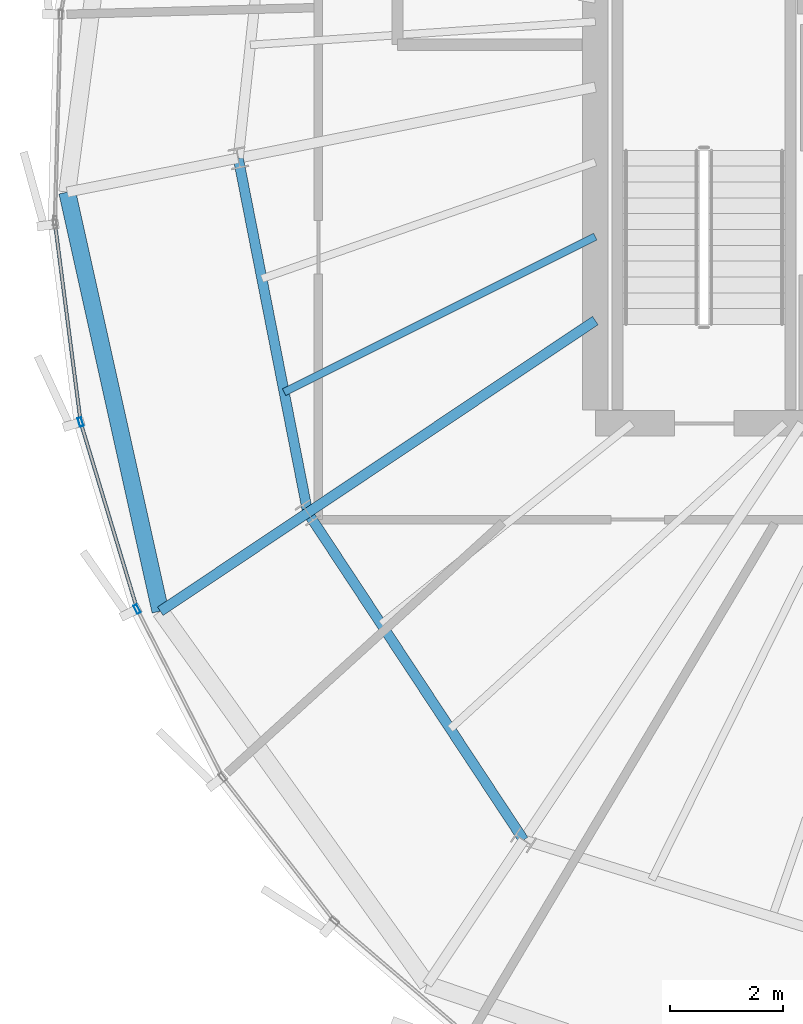
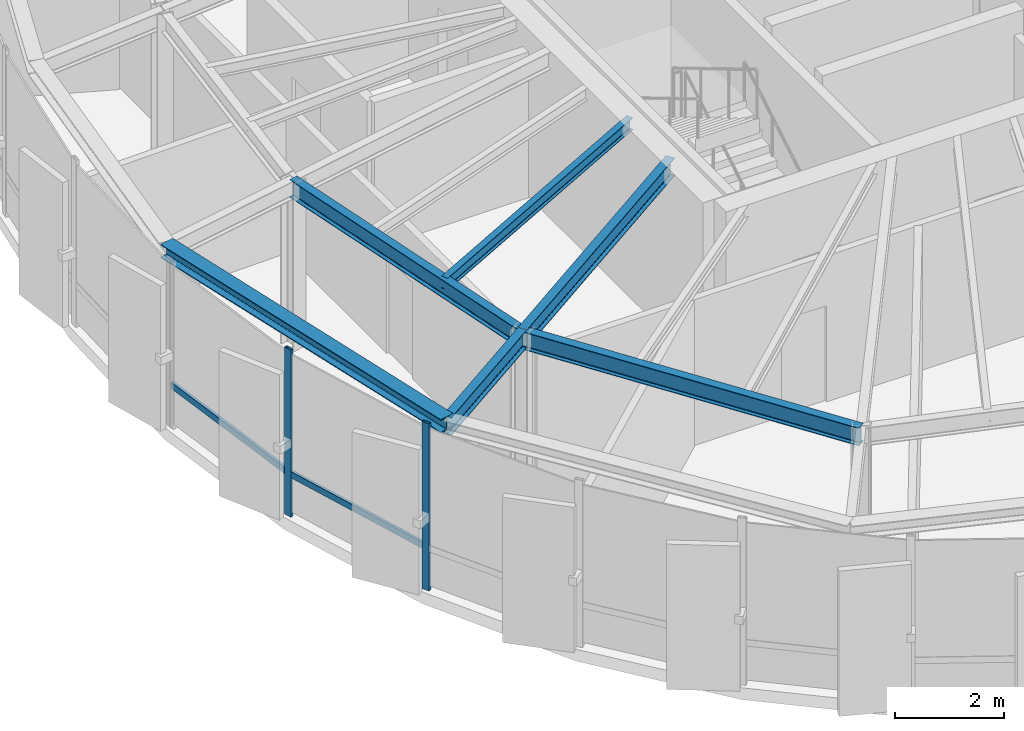
# One storey, part 4 of 25: 6 beams, 4 members, 1 element without a shape of its own.
"""IFC4 building model written with IfcOpenShell, lengths in metres."""

from ifc_helpers import new_model, si_unit, direction, frame, origin, origin_2d, place, context, subcontext, project, spatial, hollow_rectangle, i_section, extrude, source, transform, mapped, material, layer, layer_set, material_profile, profile_set, type_object, element, aggregate, save


model = new_model("IFC4")

# Units and contexts
model_context = context("Model", 3, precision=1e-05, world=origin(), true_north=direction((0.0, 1.0)))
body_context = subcontext(model_context, "Body", "Model", "MODEL_VIEW")
ifc_project = project(units=[si_unit("LENGTHUNIT", "METRE"), si_unit("AREAUNIT", "SQUARE_METRE"), si_unit("VOLUMEUNIT", "CUBIC_METRE"), si_unit("PLANEANGLEUNIT", "RADIAN"), si_unit("MASSUNIT", "GRAM", prefix="KILO"), si_unit("THERMODYNAMICTEMPERATUREUNIT", "KELVIN")], contexts=[model_context])

# Site, building, storey
site_placement = place(None, origin())
site = spatial("IfcSite", under=ifc_project, at=site_placement, CompositionType="ELEMENT")
building_placement = place(site_placement, origin())
building = spatial("IfcBuilding", under=site, at=building_placement, Name="Kethvar Cultural Tower", CompositionType="ELEMENT")
storey_placement = place(building_placement, frame((0.0, 0.0, 304.300048828125)))
storey = spatial("IfcBuildingStorey", under=building, at=storey_placement, Name="L81", CompositionType="ELEMENT", Elevation=304.300048828125)

# Beams
ifc_material_1 = material(Name="Steel S355J2", Category="steel")
ifc_material_profile_1 = material_profile(ifc_material_1, i_section(OverallWidth=0.135009765625, OverallDepth=0.27001953125, WebThickness=0.006591796875, FlangeThickness=0.01025390625, FilletRadius=0.014892578125, at=origin_2d()), Name="Steel S355J2 — IPE270")
ifc_profile_set_1 = profile_set([ifc_material_profile_1], Name="Steel S355J2 — IPE270")
beam_type_1 = type_object("IfcBeamType", Name="BM-J270", PredefinedType="JOIST", material=ifc_profile_set_1)
shared_shape_1 = source(origin(), body_context, "Body", "SweptSolid", [
    extrude(i_section(OverallWidth=0.135009765625, OverallDepth=0.27001953125, WebThickness=0.006591796875, FlangeThickness=0.01025390625, FilletRadius=0.014892578125, at=origin_2d()), origin(), (0.0, 0.0, 1.0), 6.154052734375),
])
beam_1_placement = place(storey_placement, frame((38.0, 23.40380859375, 3.597900390625), z_axis=(-0.89458581954, -0.446896197655, 0.0), x_axis=(0.446896197655, -0.89458581954, 0.0)))
element("IfcBeam", 1, at=beam_1_placement, inside=storey, type_object=beam_type_1, Name="L81 Composite Floor Joist J-09B", PredefinedType="JOIST", context=body_context, shape_type="MappedRepresentation", body=[
    mapped(shared_shape_1, transform((0.0, 0.0, 0.0), scale=1.0)),
])
ifc_material_profile_2 = material_profile(ifc_material_1, i_section(OverallWidth=0.179931640625, OverallDepth=0.39990234375, WebThickness=0.008544921875, FlangeThickness=0.013427734375, FilletRadius=0.02099609375, at=origin_2d()), Name="Steel S355J2 — IPE400")
ifc_profile_set_2 = profile_set([ifc_material_profile_2], Name="Steel S355J2 — IPE400")
beam_type_2 = type_object("IfcBeamType", Name="BM-IPE400", PredefinedType="BEAM", material=ifc_profile_set_2)
shared_shape_2 = source(origin(), body_context, "Body", "SweptSolid", [
    extrude(i_section(OverallWidth=0.179931640625, OverallDepth=0.39990234375, WebThickness=0.008544921875, FlangeThickness=0.013427734375, FilletRadius=0.02099609375, at=origin_2d()), origin(), (0.0, 0.0, 1.0), 6.118408203125),
])
beam_2_placement = place(storey_placement, frame((38.0, 21.920166015625, 3.532958984375), z_axis=(-0.831466631282, -0.555574694406, 0.0), x_axis=(0.555574694406, -0.831466631282, 0.0)))
element("IfcBeam", 2, at=beam_2_placement, inside=storey, type_object=beam_type_2, Name="L81 Primary Radial Beam RB-10", PredefinedType="BEAM", context=body_context, shape_type="MappedRepresentation", body=[
    mapped(shared_shape_2, transform((0.0, 0.0, 0.0), scale=1.0)),
])
shared_shape_3 = source(origin(), body_context, "Body", "SweptSolid", [
    extrude(i_section(OverallWidth=0.179931640625, OverallDepth=0.39990234375, WebThickness=0.008544921875, FlangeThickness=0.013427734375, FilletRadius=0.02099609375, at=origin_2d()), origin(), (0.0, 0.0, 1.0), 3.13623046875),
])
beam_3_placement = place(storey_placement, frame((32.912841796875, 18.52099609375, 3.532958984375), z_axis=(-0.831462996791, -0.555580133705, 0.0), x_axis=(0.555580133705, -0.831462996791, 0.0)))
element("IfcBeam", 3, at=beam_3_placement, inside=storey, type_object=beam_type_2, Name="L81 Perimeter Cantilever Beam RC-10", PredefinedType="BEAM", context=body_context, shape_type="MappedRepresentation", body=[
    mapped(shared_shape_3, transform((0.0, 0.0, 0.0), scale=1.0)),
])
shared_shape_4 = source(origin(), body_context, "Body", "SweptSolid", [
    extrude(i_section(OverallWidth=0.179931640625, OverallDepth=0.39990234375, WebThickness=0.008544921875, FlangeThickness=0.013427734375, FilletRadius=0.02099609375, at=origin_2d()), origin(), (0.0, 0.0, 1.0), 6.391357421875),
])
beam_4_placement = place(storey_placement, frame((31.68310546875, 24.79296875, 3.532958984375), z_axis=(0.192405084368, -0.981315588131, 0.0), x_axis=(0.981315588131, 0.192405084368, 0.0)))
element("IfcBeam", 4, at=beam_4_placement, inside=storey, type_object=beam_type_2, Name="L81 Column Ring Tie Beam CR-09", PredefinedType="BEAM", context=body_context, shape_type="MappedRepresentation", body=[
    mapped(shared_shape_4, transform((0.0, 0.0, 0.0), scale=1.0)),
])
ifc_material_profile_3 = material_profile(ifc_material_1, i_section(OverallWidth=0.300048828125, OverallDepth=0.300048828125, WebThickness=0.010986328125, FlangeThickness=0.01904296875, FilletRadius=0.027099609375, at=origin_2d()), Name="Steel S355J2 — HEB300")
ifc_profile_set_3 = profile_set([ifc_material_profile_3], Name="Steel S355J2 — HEB300")
beam_type_3 = type_object("IfcBeamType", Name="BM-SP300", PredefinedType="SPANDREL", material=ifc_profile_set_3)
shared_shape_5 = source(origin(), body_context, "Body", "SweptSolid", [
    extrude(i_section(OverallWidth=0.300048828125, OverallDepth=0.300048828125, WebThickness=0.010986328125, FlangeThickness=0.01904296875, FilletRadius=0.027099609375, at=origin_2d()), origin(), (0.0, 0.0, 1.0), 7.59375),
])
beam_5_placement = place(storey_placement, frame((28.65771484375, 24.19140625, 3.5830078125), z_axis=(0.21695088273, -0.976182521091, 0.0), x_axis=(0.976182521091, 0.21695088273, 0.0)))
element("IfcBeam", 5, at=beam_5_placement, inside=storey, type_object=beam_type_3, Name="L81 Perimeter Spandrel Beam SP-09", PredefinedType="SPANDREL", context=body_context, shape_type="MappedRepresentation", body=[
    mapped(shared_shape_5, transform((0.0, 0.0, 0.0), scale=1.0)),
])
shared_shape_6 = source(origin(), body_context, "Body", "SweptSolid", [
    extrude(i_section(OverallWidth=0.179931640625, OverallDepth=0.39990234375, WebThickness=0.008544921875, FlangeThickness=0.013427734375, FilletRadius=0.02099609375, at=origin_2d()), origin(), (0.0, 0.0, 1.0), 6.935791015625),
])
beam_6_placement = place(storey_placement, frame((32.912841796875, 18.52099609375, 3.532958984375), z_axis=(0.550534204139, -0.834812607759, 0.0), x_axis=(0.834812607759, 0.550534204139, 0.0)))
element("IfcBeam", 6, at=beam_6_placement, inside=storey, type_object=beam_type_2, Name="L81 Column Ring Tie Beam CR-10", PredefinedType="BEAM", context=body_context, shape_type="MappedRepresentation", body=[
    mapped(shared_shape_6, transform((0.0, 0.0, 0.0), scale=1.0)),
])

# Curtain wall, members
ifc_material_2 = material(Name="Aluminium 6063-T6", Category="aluminium")
ifc_layer = layer(ifc_material_2, 0.179931640625, Name="Aluminium 6063-T6", Category="aluminium")
ifc_layer_set = layer_set([ifc_layer], Name="Aluminium 6063-T6 (180 mm)")
curtain_wall_type = type_object("IfcCurtainWallType", Name="CW-SYS-06-CROWN", PredefinedType="NOTDEFINED", material=ifc_layer_set)
curtain_wall_placement = place(storey_placement, origin())
curtain_wall = element("IfcCurtainWall", 7, at=curtain_wall_placement, inside=storey, type_object=curtain_wall_type, Name="L81 Curtain Wall Run 03", PredefinedType="NOTDEFINED")
ifc_material_profile_4 = material_profile(ifc_material_2, hollow_rectangle(XDim=0.06494140625, YDim=0.159912109375, WallThickness=0.0048828125, at=origin_2d()), Name="Aluminium 6063-T6 — RHS160x65x5")
ifc_profile_set_4 = profile_set([ifc_material_profile_4], Name="Aluminium 6063-T6 — RHS160x65x5")
member_type_1 = type_object("IfcMemberType", Name="CW-SYS-06-CROWN-MUL", PredefinedType="MULLION", material=ifc_profile_set_4)
shared_shape_7 = source(origin(), body_context, "Body", "SweptSolid", [
    extrude(hollow_rectangle(XDim=0.06494140625, YDim=0.159912109375, WallThickness=0.0048828125, at=origin_2d()), origin(), (0.0, 0.0, 1.0), 3.73486328125),
])
member_1_placement = place(storey_placement, frame((28.89404296875, 20.123291015625, 0.0), z_axis=(0.0, 0.0, 1.0), x_axis=(0.957097254783, 0.289766880243, 0.0)))
member_1 = element("IfcMember", 8, at=member_1_placement, type_object=member_type_1, Name="CW-L81-R03 Mullion 2", PredefinedType="MULLION", context=body_context, shape_type="MappedRepresentation", body=[
    mapped(shared_shape_7, transform((0.0, 0.0, 0.0), scale=1.0)),
])
member_2_placement = place(storey_placement, frame((29.893310546875, 16.8154296875, 0.0), z_axis=(0.0, 0.0, 1.0), x_axis=(0.891022370904, 0.453959397468, 0.0)))
member_2 = element("IfcMember", 9, at=member_2_placement, type_object=member_type_1, Name="CW-L81-R03 Mullion 3", PredefinedType="MULLION", context=body_context, shape_type="MappedRepresentation", body=[
    mapped(shared_shape_7, transform((0.0, 0.0, 0.0), scale=1.0)),
])
ifc_material_profile_5 = material_profile(ifc_material_2, hollow_rectangle(XDim=0.06005859375, YDim=0.139892578125, WallThickness=0.0048828125, at=origin_2d()), Name="Aluminium 6063-T6 — RHS140x60x5")
ifc_profile_set_5 = profile_set([ifc_material_profile_5], Name="Aluminium 6063-T6 — RHS140x60x5")
member_type_2 = type_object("IfcMemberType", Name="CW-SYS-06-CROWN-TRN", PredefinedType="USERDEFINED", material=ifc_profile_set_5)
shared_shape_8 = source(origin(), body_context, "Body", "SweptSolid", [
    extrude(hollow_rectangle(XDim=0.06005859375, YDim=0.139892578125, WallThickness=0.0048828125, at=origin_2d()), origin(), (0.0, 0.0, 1.0), 3.49755859375),
])
member_3_placement = place(storey_placement, frame((28.4443359375, 23.618896484375, 0.949951171875), z_axis=(0.128020064346, -0.991771578099, 0.0), x_axis=(0.991771578099, 0.128020064346, 0.0)))
member_3 = element("IfcMember", 10, at=member_3_placement, type_object=member_type_2, Name="CW-L81-R03 Transom 1", ObjectType="TRANSOM", PredefinedType="USERDEFINED", context=body_context, shape_type="MappedRepresentation", body=[
    mapped(shared_shape_8, transform((0.0, 0.0, 0.0), scale=1.0)),
])
shared_shape_9 = source(origin(), body_context, "Body", "SweptSolid", [
    extrude(hollow_rectangle(XDim=0.06005859375, YDim=0.139892578125, WallThickness=0.0048828125, at=origin_2d()), origin(), (0.0, 0.0, 1.0), 3.3828125),
])
member_4_placement = place(storey_placement, frame((28.907470703125, 20.078369140625, 0.949951171875), z_axis=(0.289757010624, -0.957100242814, 0.0), x_axis=(0.957100242814, 0.289757010624, 0.0)))
member_4 = element("IfcMember", 11, at=member_4_placement, type_object=member_type_2, Name="CW-L81-R03 Transom 2", ObjectType="TRANSOM", PredefinedType="USERDEFINED", context=body_context, shape_type="MappedRepresentation", body=[
    mapped(shared_shape_9, transform((0.0, 0.0, 0.0), scale=1.0)),
])
aggregate(curtain_wall, [member_1, member_2, member_3, member_4])

save(model, "model.ifc")
